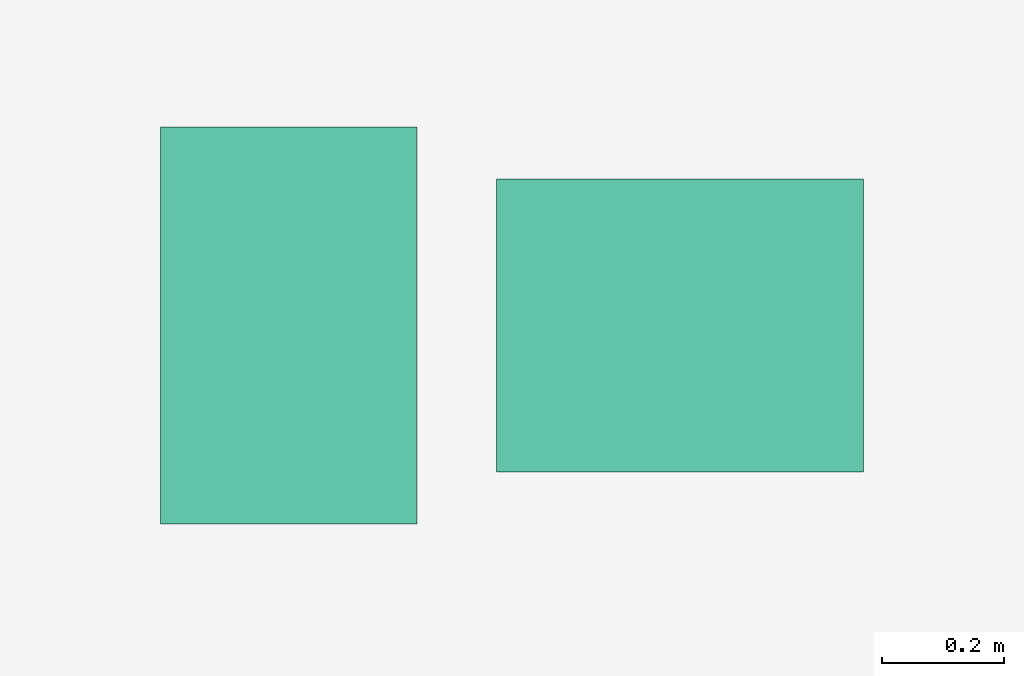
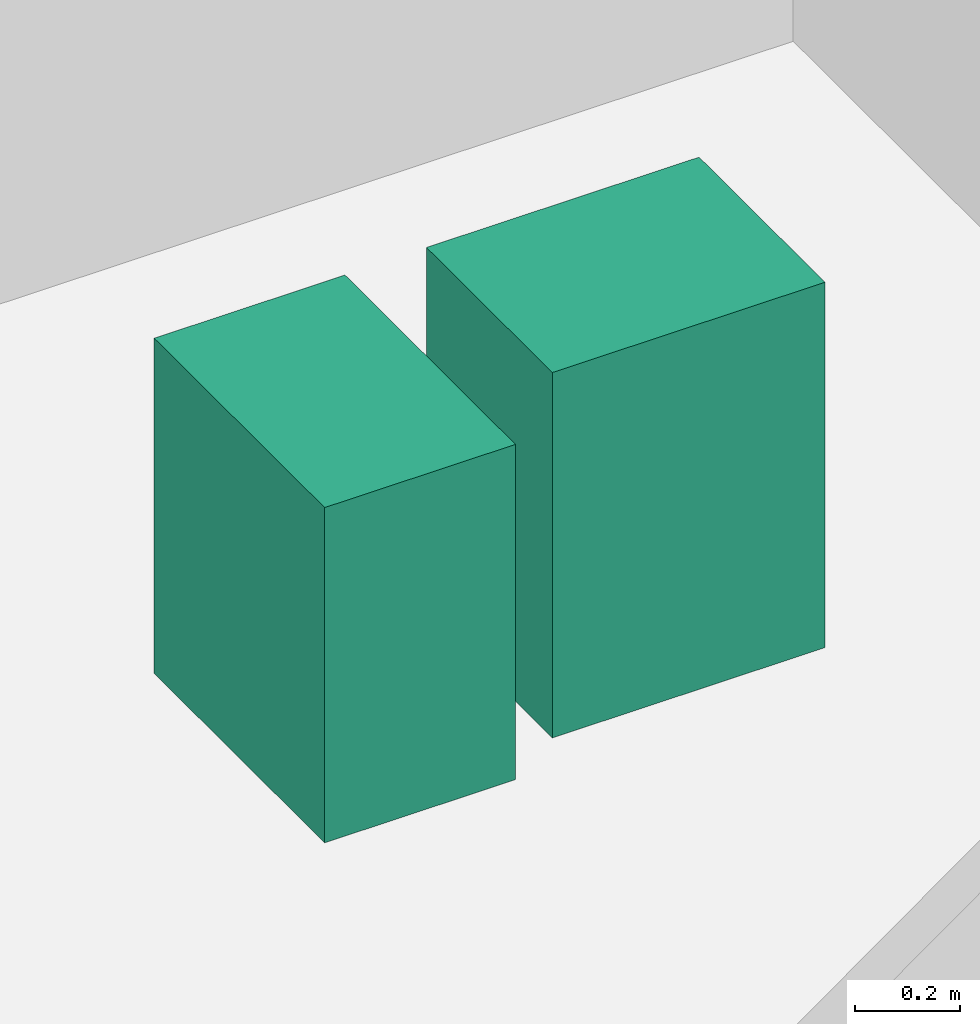
# One storey, part 11 of 11: 2 sanitary terminals.
"""IFC4 building model written with IfcOpenShell, lengths in metres."""

from ifc_helpers import new_model, si_unit, direction, frame, origin, origin_2d, place, context, subcontext, project, spatial, rectangle, extrude, material, type_object, element, save


model = new_model("IFC4")

# Units and contexts
model_context = context("Model", 3, precision=1e-05, world=origin(), true_north=direction((0.0, 1.0)))
body_context = subcontext(model_context, "Body", "Model", "MODEL_VIEW")
ifc_project = project(units=[si_unit("LENGTHUNIT", "METRE"), si_unit("AREAUNIT", "SQUARE_METRE"), si_unit("VOLUMEUNIT", "CUBIC_METRE"), si_unit("PLANEANGLEUNIT", "RADIAN"), si_unit("MASSUNIT", "GRAM", prefix="KILO")], contexts=[model_context])

# Site, building, storey
site_placement = place(None, origin())
site = spatial("IfcSite", under=ifc_project, at=site_placement, CompositionType="ELEMENT")
building_placement = place(site_placement, origin())
building = spatial("IfcBuilding", under=site, at=building_placement, Name="Solmavex Isthmus Hotel", CompositionType="ELEMENT")
storey_placement = place(building_placement, frame((0.0, 0.0, 130.5)))
storey = spatial("IfcBuildingStorey", under=building, at=storey_placement, Name="L35", CompositionType="ELEMENT", Elevation=130.5)

# Sanitary terminals
ifc_material = material(Name="Vitreous china ceramic", Category="ceramic")
sanitary_terminal_type_1 = type_object("IfcSanitaryTerminalType", Name="SAN-BASIN", PredefinedType="WASHHANDBASIN", material=ifc_material)
sanitary_terminal_1_placement = place(storey_placement, frame((3.570068359375, -4.385009765625, 0.0), z_axis=(0.0, 0.0, 1.0), x_axis=(1.0, 0.0, 0.0)))
element("IfcSanitaryTerminal", 1, at=sanitary_terminal_1_placement, inside=storey, type_object=sanitary_terminal_type_1, Name="Vanity Washbasin L35-165", PredefinedType="WASHHANDBASIN", context=body_context, shape_type="SweptSolid", body=[
    extrude(rectangle(XDim=0.60009765625, YDim=0.47998046875, at=origin_2d()), origin(), (0.0, 0.0, 1.0), 0.85009765625),
])
sanitary_terminal_type_2 = type_object("IfcSanitaryTerminalType", Name="SAN-WC-SUITE", PredefinedType="TOILETPAN", material=ifc_material)
sanitary_terminal_2_placement = place(storey_placement, frame((2.929931640625, -4.385009765625, 0.0), z_axis=(0.0, 0.0, 1.0), x_axis=(1.0, 0.0, 0.0)))
element("IfcSanitaryTerminal", 2, at=sanitary_terminal_2_placement, inside=storey, type_object=sanitary_terminal_type_2, Name="Water Closet L35-165", PredefinedType="TOILETPAN", context=body_context, shape_type="SweptSolid", body=[
    extrude(rectangle(XDim=0.419921875, YDim=0.64990234375, at=origin_2d()), origin(), (0.0, 0.0, 1.0), 0.780029296875),
])

save(model, "model.ifc")
